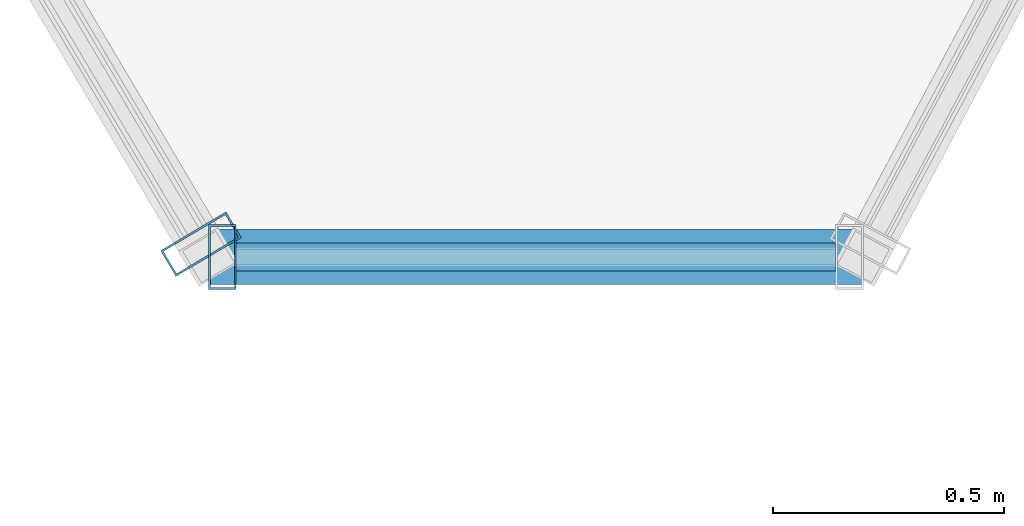
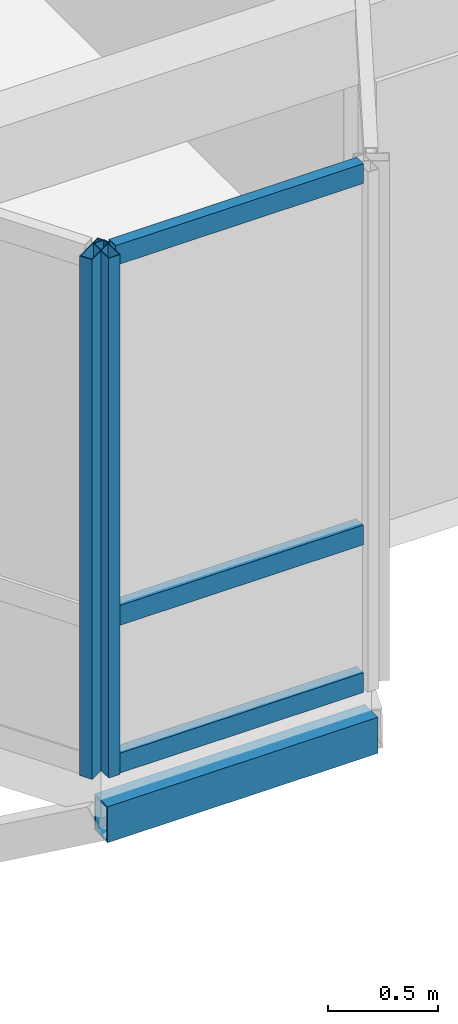
# One storey, part 23 of 64: 6 members, 2 elements without a shape of their own.
"""IFC4 building model written with IfcOpenShell, lengths in metres."""

from ifc_helpers import new_model, si_unit, direction, frame, origin, origin_2d, place, context, subcontext, project, spatial, hollow_rectangle, extrude, material, layer, layer_set, material_profile, profile_set, type_object, element, aggregate, save


model = new_model("IFC4")

# Units and contexts
model_context = context("Model", 3, precision=1e-05, world=origin(), true_north=direction((0.0, 1.0)))
body_context = subcontext(model_context, "Body", "Model", "MODEL_VIEW")
ifc_project = project(units=[si_unit("LENGTHUNIT", "METRE"), si_unit("AREAUNIT", "SQUARE_METRE"), si_unit("VOLUMEUNIT", "CUBIC_METRE"), si_unit("PLANEANGLEUNIT", "RADIAN"), si_unit("MASSUNIT", "GRAM", prefix="KILO"), si_unit("THERMODYNAMICTEMPERATUREUNIT", "KELVIN"), si_unit("POWERUNIT", "WATT")], contexts=[model_context])

# Site, building, storey
site_placement = place(None, origin())
site = spatial("IfcSite", under=ifc_project, at=site_placement, CompositionType="ELEMENT")
building_placement = place(site_placement, origin())
building = spatial("IfcBuilding", under=site, at=building_placement, Name="Tavuni Mirador Residences", CompositionType="ELEMENT")
storey_placement = place(building_placement, frame((0.0, 0.0, 26.550048828125)))
storey = spatial("IfcBuildingStorey", under=building, at=storey_placement, Name="L08", CompositionType="ELEMENT", Elevation=26.550048828125)

# Curtain wall, member
ifc_material_1 = material(Name="Anodised aluminium", Category="aluminium")
ifc_layer_1 = layer(ifc_material_1, 0.175048828125, Name="Anodised aluminium", Category="aluminium")
ifc_layer_set_1 = layer_set([ifc_layer_1], Name="Anodised aluminium")
curtain_wall_type_1 = type_object("IfcCurtainWallType", Name="CWT-MIR-C", PredefinedType="NOTDEFINED", material=ifc_layer_set_1)
curtain_wall_1_placement = place(storey_placement, origin())
curtain_wall_1 = element("IfcCurtainWall", 1, at=curtain_wall_1_placement, inside=storey, type_object=curtain_wall_type_1, Name="CW-MIR-C-S2-L08-MF", PredefinedType="NOTDEFINED")
ifc_material_profile_1 = material_profile(ifc_material_1, hollow_rectangle(XDim=0.06005859375, YDim=0.139892578125, WallThickness=0.00390625, at=origin_2d()), Name="ALU 60x140x4.0", Category="aluminium")
ifc_profile_set_1 = profile_set([ifc_material_profile_1], Name="Anodised aluminium")
member_type_1 = type_object("IfcMemberType", Name="CWM-140", PredefinedType="MULLION", material=ifc_profile_set_1)
member_1_placement = place(storey_placement, frame((33.389892578125, 142.800048828125, 0.0), z_axis=(0.0, 0.0, 1.0), x_axis=(1.0, 0.0, 0.0)))
member_1 = element("IfcMember", 2, at=member_1_placement, type_object=member_type_1, Name="CW-03 mullion 1", PredefinedType="MULLION", context=body_context, shape_type="SweptSolid", body=[
    extrude(hollow_rectangle(XDim=0.06005859375, YDim=0.139892578125, WallThickness=0.00390625, at=origin_2d()), origin(), (0.0, 0.0, 1.0), 2.885009765625),
])

ifc_layer_2 = layer(ifc_material_1, 0.14990234375, Name="Anodised aluminium", Category="aluminium")
ifc_layer_set_2 = layer_set([ifc_layer_2], Name="Anodised aluminium")
curtain_wall_type_2 = type_object("IfcCurtainWallType", Name="CWT-MIR-B", PredefinedType="NOTDEFINED", material=ifc_layer_set_2)
curtain_wall_2_placement = place(storey_placement, origin())
curtain_wall_2 = element("IfcCurtainWall", 3, at=curtain_wall_2_placement, inside=storey, type_object=curtain_wall_type_2, Name="CW-MIR-C-S2-L08-M1", PredefinedType="NOTDEFINED")
ifc_material_profile_2 = material_profile(ifc_material_1, hollow_rectangle(XDim=0.06494140625, YDim=0.1650390625, WallThickness=0.00439453125, at=origin_2d()), Name="ALU 65x165x4.5", Category="aluminium")
ifc_profile_set_2 = profile_set([ifc_material_profile_2], Name="Anodised aluminium")
member_type_2 = type_object("IfcMemberType", Name="CWM-165", PredefinedType="MULLION", material=ifc_profile_set_2)
member_2_placement = place(storey_placement, frame((33.343505859375, 142.827880859375, 0.0), z_axis=(0.0, 0.0, 1.0), x_axis=(0.509212491254, -0.860640830284, 0.0)))
member_2 = element("IfcMember", 4, at=member_2_placement, type_object=member_type_2, Name="CW-02 mullion 2", PredefinedType="MULLION", context=body_context, shape_type="SweptSolid", body=[
    extrude(hollow_rectangle(XDim=0.06494140625, YDim=0.1650390625, WallThickness=0.00439453125, at=origin_2d()), origin(), (0.0, 0.0, 1.0), 2.885009765625),
])
aggregate(curtain_wall_2, [member_2])

# Member
ifc_material_profile_3 = material_profile(ifc_material_1, hollow_rectangle(XDim=0.06005859375, YDim=0.110107421875, WallThickness=0.00390625, at=origin_2d()), Name="ALU 60x110x4.0", Category="aluminium")
ifc_profile_set_3 = profile_set([ifc_material_profile_3], Name="Anodised aluminium")
member_type_3 = type_object("IfcMemberType", Name="CWT-110", PredefinedType="USERDEFINED", material=ifc_profile_set_3)
member_3_placement = place(storey_placement, frame((33.419921875, 142.800048828125, 0.030029296875), z_axis=(1.0, 0.0, 0.0), x_axis=(0.0, 1.0, 0.0)))
member_3 = element("IfcMember", 5, at=member_3_placement, type_object=member_type_3, Name="CW-03 transom 1.1", ObjectType="TRANSOM", PredefinedType="USERDEFINED", context=body_context, shape_type="SweptSolid", body=[
    extrude(hollow_rectangle(XDim=0.06005859375, YDim=0.110107421875, WallThickness=0.00390625, at=origin_2d()), origin(), (0.0, 0.0, 1.0), 1.300048828125),
])

member_4_placement = place(storey_placement, frame((33.419921875, 142.800048828125, 0.849853515625), z_axis=(1.0, 0.0, 0.0), x_axis=(0.0, 1.0, 0.0)))
member_4 = element("IfcMember", 6, at=member_4_placement, type_object=member_type_3, Name="CW-03 transom 1.2", ObjectType="TRANSOM", PredefinedType="USERDEFINED", context=body_context, shape_type="SweptSolid", body=[
    extrude(hollow_rectangle(XDim=0.06005859375, YDim=0.110107421875, WallThickness=0.00390625, at=origin_2d()), origin(), (0.0, 0.0, 1.0), 1.300048828125),
])

member_5_placement = place(storey_placement, frame((33.419921875, 142.800048828125, 2.85498046875), z_axis=(1.0, 0.0, 0.0), x_axis=(0.0, 1.0, 0.0)))
member_5 = element("IfcMember", 7, at=member_5_placement, type_object=member_type_3, Name="CW-03 transom 1.3", ObjectType="TRANSOM", PredefinedType="USERDEFINED", context=body_context, shape_type="SweptSolid", body=[
    extrude(hollow_rectangle(XDim=0.06005859375, YDim=0.110107421875, WallThickness=0.00390625, at=origin_2d()), origin(), (0.0, 0.0, 1.0), 1.300048828125),
])

aggregate(curtain_wall_1, [member_1, member_3, member_4, member_5])

ifc_material_2 = material(Name="Structural steel S355", Category="steel")
ifc_material_profile_4 = material_profile(ifc_material_2, hollow_rectangle(XDim=0.1201171875, YDim=0.199951171875, WallThickness=0.010009765625, at=origin_2d()), Name="RHS 200x120x10.0", Category="steel")
ifc_profile_set_4 = profile_set([ifc_material_profile_4], Name="Structural steel S355")
member_type_4 = type_object("IfcMemberType", Name="MT-ST-RHS200", PredefinedType="STRUT", material=ifc_profile_set_4)
member_6_placement = place(storey_placement, frame((33.360107421875, 142.800048828125, -0.26513671875), z_axis=(1.0, 0.0, 0.0), x_axis=(0.0, 1.0, 0.0)))
element("IfcMember", 8, at=member_6_placement, inside=storey, type_object=member_type_4, Name="MRIM-MIR-C-S2-L08", PredefinedType="STRUT", context=body_context, shape_type="SweptSolid", body=[
    extrude(hollow_rectangle(XDim=0.1201171875, YDim=0.199951171875, WallThickness=0.010009765625, at=origin_2d()), origin(), (0.0, 0.0, 1.0), 1.419921875),
])

save(model, "model.ifc")
